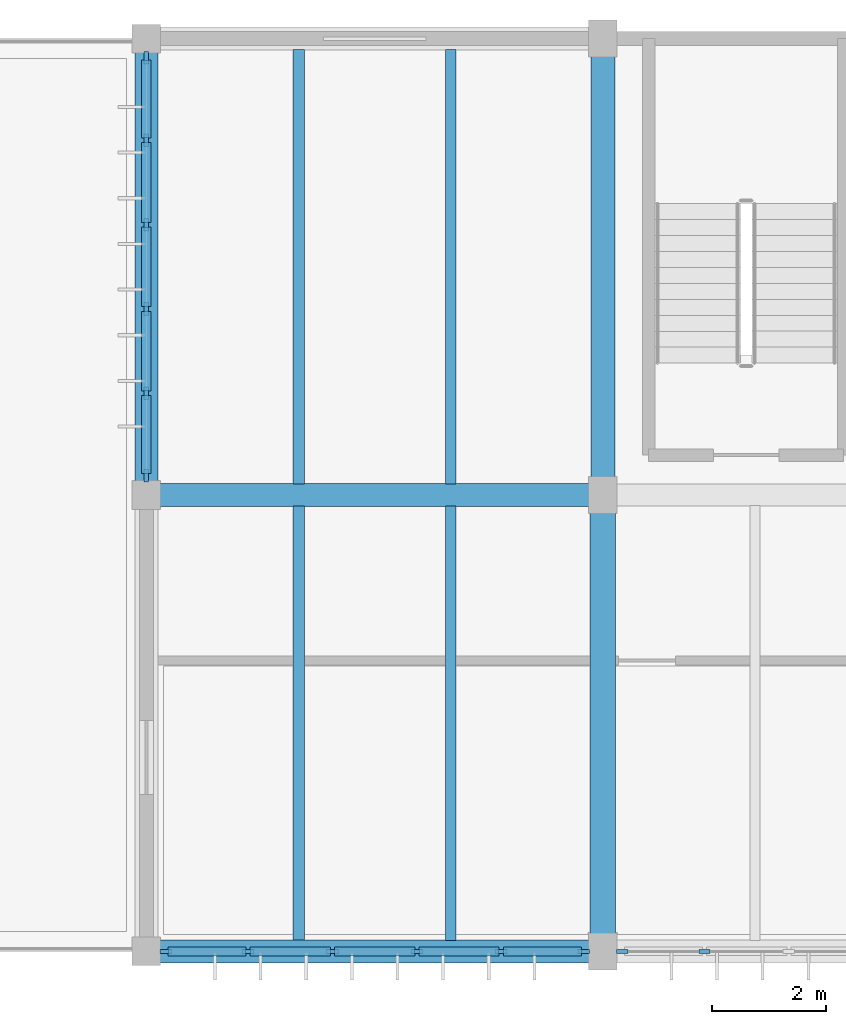
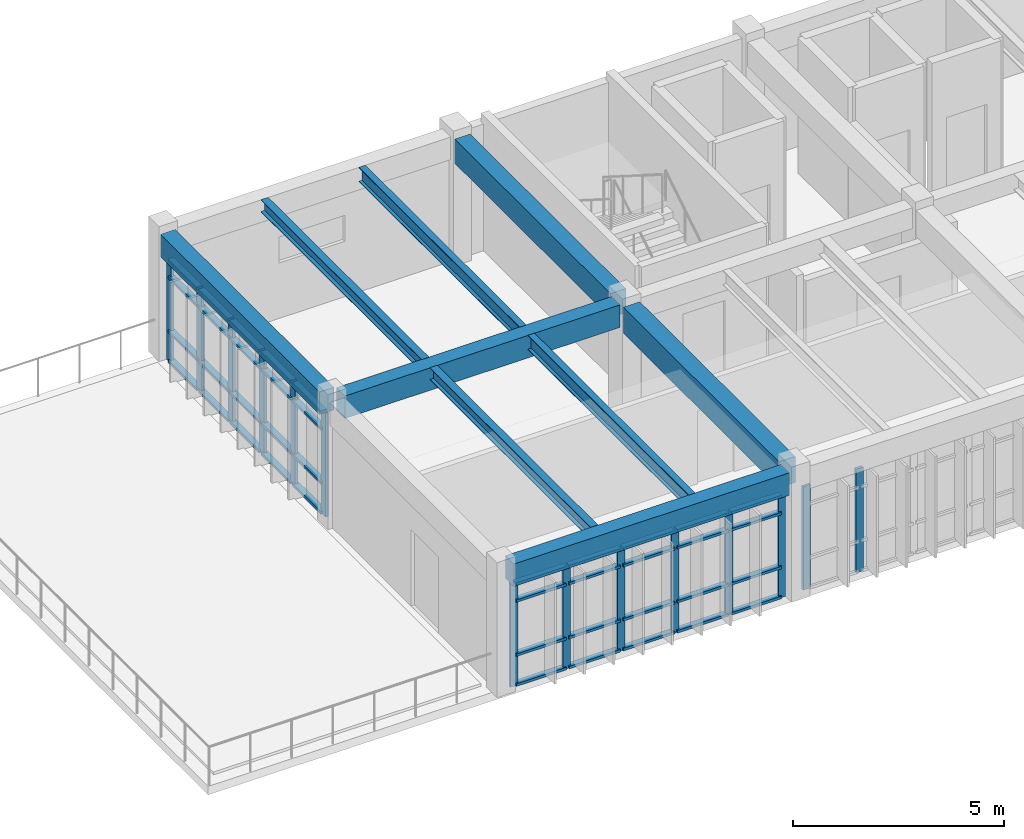
# One storey, part 2 of 15: 54 members, 9 beams, 3 elements without a shape of their own.
"""IFC4 building model written with IfcOpenShell, lengths in metres."""

from ifc_helpers import new_model, si_unit, direction, frame, origin, origin_2d, place, context, subcontext, project, spatial, rectangle, i_section, extrude, material, material_profile, profile_set, type_object, element, aggregate, save


model = new_model("IFC4")

# Units and contexts
model_context = context("Model", 3, precision=1e-05, world=origin(), true_north=direction((0.0, 1.0)))
body_context = subcontext(model_context, "Body", "Model", "MODEL_VIEW")
ifc_project = project(units=[si_unit("LENGTHUNIT", "METRE"), si_unit("AREAUNIT", "SQUARE_METRE"), si_unit("VOLUMEUNIT", "CUBIC_METRE"), si_unit("PLANEANGLEUNIT", "RADIAN"), si_unit("MASSUNIT", "GRAM", prefix="KILO")], contexts=[model_context])

# Site, building, storey
site_placement = place(None, origin())
site = spatial("IfcSite", under=ifc_project, at=site_placement, CompositionType="ELEMENT")
building_placement = place(site_placement, origin())
building = spatial("IfcBuilding", under=site, at=building_placement, Name="Tlaxcora Railside Police Headquarters", CompositionType="ELEMENT")
storey_placement = place(building_placement, frame((0.0, 0.0, 25.800048828125)))
storey = spatial("IfcBuildingStorey", under=building, at=storey_placement, Name="L06", CompositionType="ELEMENT", Elevation=25.800048828125)

# Curtain wall, members
ifc_material_1 = material(Name="Thermally broken low-E insulated glazing", Category="glass")
curtain_wall_type_1 = type_object("IfcCurtainWallType", Name="Unitised Curtain Wall Assembly CW-23", PredefinedType="NOTDEFINED", material=ifc_material_1)
curtain_wall_1_placement = place(storey_placement, origin())
curtain_wall_1 = element("IfcCurtainWall", 1, at=curtain_wall_1_placement, inside=storey, type_object=curtain_wall_type_1, Name="V5 L06 curtain wall 132", PredefinedType="NOTDEFINED")
ifc_material_2 = material(Name="Anodised aluminium framing", Category="aluminium")
ifc_material_profile_1 = material_profile(ifc_material_2, rectangle(XDim=0.080078125, YDim=0.219970703125, at=origin_2d()), Name="AL80X220")
ifc_profile_set_1 = profile_set([ifc_material_profile_1], Name="Anodised aluminium framing")
member_type_1 = type_object("IfcMemberType", Name="Curtain Wall Mullion CW-31", PredefinedType="MULLION", material=ifc_profile_set_1)
member_1_placement = place(storey_placement, frame((13.199951171875, 92.4599609375, 0.0), z_axis=(0.0, 0.0, 1.0), x_axis=(1.0, 0.0, 0.0)))
member_1 = element("IfcMember", 2, at=member_1_placement, type_object=member_type_1, Name="CW mullion 1", PredefinedType="MULLION", context=body_context, shape_type="SweptSolid", body=[
    extrude(rectangle(XDim=0.080078125, YDim=0.219970703125, at=origin_2d()), origin(), (0.0, 0.0, 1.0), 2.989990234375),
])
member_2_placement = place(storey_placement, frame((13.199951171875, 91.02001953125, 0.0), z_axis=(0.0, 0.0, 1.0), x_axis=(1.0, 0.0, 0.0)))
member_2 = element("IfcMember", 3, at=member_2_placement, type_object=member_type_1, Name="CW mullion 2", PredefinedType="MULLION", context=body_context, shape_type="SweptSolid", body=[
    extrude(rectangle(XDim=0.080078125, YDim=0.219970703125, at=origin_2d()), origin(), (0.0, 0.0, 1.0), 2.989990234375),
])
member_3_placement = place(storey_placement, frame((13.199951171875, 89.5400390625, 0.0), z_axis=(0.0, 0.0, 1.0), x_axis=(1.0, 0.0, 0.0)))
member_3 = element("IfcMember", 4, at=member_3_placement, type_object=member_type_1, Name="CW mullion 3", PredefinedType="MULLION", context=body_context, shape_type="SweptSolid", body=[
    extrude(rectangle(XDim=0.080078125, YDim=0.219970703125, at=origin_2d()), origin(), (0.0, 0.0, 1.0), 2.989990234375),
])
member_4_placement = place(storey_placement, frame((13.199951171875, 88.06005859375, 0.0), z_axis=(0.0, 0.0, 1.0), x_axis=(1.0, 0.0, 0.0)))
member_4 = element("IfcMember", 5, at=member_4_placement, type_object=member_type_1, Name="CW mullion 4", PredefinedType="MULLION", context=body_context, shape_type="SweptSolid", body=[
    extrude(rectangle(XDim=0.080078125, YDim=0.219970703125, at=origin_2d()), origin(), (0.0, 0.0, 1.0), 2.989990234375),
])
member_5_placement = place(storey_placement, frame((13.199951171875, 86.580078125, 0.0), z_axis=(0.0, 0.0, 1.0), x_axis=(1.0, 0.0, 0.0)))
member_5 = element("IfcMember", 6, at=member_5_placement, type_object=member_type_1, Name="CW mullion 5", PredefinedType="MULLION", context=body_context, shape_type="SweptSolid", body=[
    extrude(rectangle(XDim=0.080078125, YDim=0.219970703125, at=origin_2d()), origin(), (0.0, 0.0, 1.0), 2.989990234375),
])
member_6_placement = place(storey_placement, frame((13.199951171875, 85.139892578125, 0.0), z_axis=(0.0, 0.0, 1.0), x_axis=(1.0, 0.0, 0.0)))
member_6 = element("IfcMember", 7, at=member_6_placement, type_object=member_type_1, Name="CW mullion 6", PredefinedType="MULLION", context=body_context, shape_type="SweptSolid", body=[
    extrude(rectangle(XDim=0.080078125, YDim=0.219970703125, at=origin_2d()), origin(), (0.0, 0.0, 1.0), 2.989990234375),
])

curtain_wall_type_2 = type_object("IfcCurtainWallType", Name="Unitised Curtain Wall Assembly CW-38", PredefinedType="NOTDEFINED", material=ifc_material_1)
curtain_wall_2_placement = place(storey_placement, origin())
curtain_wall_2 = element("IfcCurtainWall", 8, at=curtain_wall_2_placement, inside=storey, type_object=curtain_wall_type_2, Name="V5 L06 curtain wall 121", PredefinedType="NOTDEFINED")
ifc_material_profile_2 = material_profile(ifc_material_2, rectangle(XDim=0.074951171875, YDim=0.205078125, at=origin_2d()), Name="AL75X205")
ifc_profile_set_2 = profile_set([ifc_material_profile_2], Name="Anodised aluminium framing")
member_type_2 = type_object("IfcMemberType", Name="Curtain Wall Mullion CW-32", PredefinedType="MULLION", material=ifc_profile_set_2)
member_7_placement = place(storey_placement, frame((13.53759765625, 76.800048828125, 0.0), z_axis=(0.0, 0.0, 1.0), x_axis=(0.0, 1.0, 0.0)))
member_7 = element("IfcMember", 9, at=member_7_placement, type_object=member_type_2, Name="CW mullion 1", PredefinedType="MULLION", context=body_context, shape_type="SweptSolid", body=[
    extrude(rectangle(XDim=0.074951171875, YDim=0.205078125, at=origin_2d()), origin(), (0.0, 0.0, 1.0), 2.989990234375),
])
member_8_placement = place(storey_placement, frame((14.97998046875, 76.800048828125, 0.0), z_axis=(0.0, 0.0, 1.0), x_axis=(0.0, 1.0, 0.0)))
member_8 = element("IfcMember", 10, at=member_8_placement, type_object=member_type_2, Name="CW mullion 2", PredefinedType="MULLION", context=body_context, shape_type="SweptSolid", body=[
    extrude(rectangle(XDim=0.074951171875, YDim=0.205078125, at=origin_2d()), origin(), (0.0, 0.0, 1.0), 2.989990234375),
])
member_9_placement = place(storey_placement, frame((16.4599609375, 76.800048828125, 0.0), z_axis=(0.0, 0.0, 1.0), x_axis=(0.0, 1.0, 0.0)))
member_9 = element("IfcMember", 11, at=member_9_placement, type_object=member_type_2, Name="CW mullion 3", PredefinedType="MULLION", context=body_context, shape_type="SweptSolid", body=[
    extrude(rectangle(XDim=0.074951171875, YDim=0.205078125, at=origin_2d()), origin(), (0.0, 0.0, 1.0), 2.989990234375),
])
member_10_placement = place(storey_placement, frame((17.93994140625, 76.800048828125, 0.0), z_axis=(0.0, 0.0, 1.0), x_axis=(0.0, 1.0, 0.0)))
member_10 = element("IfcMember", 12, at=member_10_placement, type_object=member_type_2, Name="CW mullion 4", PredefinedType="MULLION", context=body_context, shape_type="SweptSolid", body=[
    extrude(rectangle(XDim=0.074951171875, YDim=0.205078125, at=origin_2d()), origin(), (0.0, 0.0, 1.0), 2.989990234375),
])
member_11_placement = place(storey_placement, frame((19.419921875, 76.800048828125, 0.0), z_axis=(0.0, 0.0, 1.0), x_axis=(0.0, 1.0, 0.0)))
member_11 = element("IfcMember", 13, at=member_11_placement, type_object=member_type_2, Name="CW mullion 5", PredefinedType="MULLION", context=body_context, shape_type="SweptSolid", body=[
    extrude(rectangle(XDim=0.074951171875, YDim=0.205078125, at=origin_2d()), origin(), (0.0, 0.0, 1.0), 2.989990234375),
])
member_12_placement = place(storey_placement, frame((20.862548828125, 76.800048828125, 0.0), z_axis=(0.0, 0.0, 1.0), x_axis=(0.0, 1.0, 0.0)))
member_12 = element("IfcMember", 14, at=member_12_placement, type_object=member_type_2, Name="CW mullion 6", PredefinedType="MULLION", context=body_context, shape_type="SweptSolid", body=[
    extrude(rectangle(XDim=0.074951171875, YDim=0.205078125, at=origin_2d()), origin(), (0.0, 0.0, 1.0), 2.989990234375),
])

curtain_wall_type_3 = type_object("IfcCurtainWallType", Name="Unitised Curtain Wall Assembly CW-15", PredefinedType="NOTDEFINED", material=ifc_material_1)
curtain_wall_3_placement = place(storey_placement, origin())
curtain_wall_3 = element("IfcCurtainWall", 15, at=curtain_wall_3_placement, inside=storey, type_object=curtain_wall_type_3, Name="V5 L06 curtain wall 122", PredefinedType="NOTDEFINED")
ifc_material_profile_3 = material_profile(ifc_material_2, rectangle(XDim=0.074951171875, YDim=0.199951171875, at=origin_2d()), Name="AL75X200")
ifc_profile_set_3 = profile_set([ifc_material_profile_3], Name="Anodised aluminium framing")
member_type_3 = type_object("IfcMemberType", Name="Curtain Wall Mullion CW-58", PredefinedType="MULLION", material=ifc_profile_set_3)
member_13_placement = place(storey_placement, frame((21.53759765625, 76.800048828125, 0.0), z_axis=(0.0, 0.0, 1.0), x_axis=(0.0, 1.0, 0.0)))
member_13 = element("IfcMember", 16, at=member_13_placement, type_object=member_type_3, Name="CW mullion 1", PredefinedType="MULLION", context=body_context, shape_type="SweptSolid", body=[
    extrude(rectangle(XDim=0.074951171875, YDim=0.199951171875, at=origin_2d()), origin(), (0.0, 0.0, 1.0), 2.989990234375),
])
member_14_placement = place(storey_placement, frame((22.97998046875, 76.800048828125, 0.0), z_axis=(0.0, 0.0, 1.0), x_axis=(0.0, 1.0, 0.0)))
member_14 = element("IfcMember", 17, at=member_14_placement, type_object=member_type_3, Name="CW mullion 2", PredefinedType="MULLION", context=body_context, shape_type="SweptSolid", body=[
    extrude(rectangle(XDim=0.074951171875, YDim=0.199951171875, at=origin_2d()), origin(), (0.0, 0.0, 1.0), 2.989990234375),
])
aggregate(curtain_wall_3, [member_13, member_14])

# Member
ifc_material_profile_4 = material_profile(ifc_material_2, rectangle(XDim=0.155029296875, YDim=0.074951171875, at=origin_2d()), Name="AL75X155")
ifc_profile_set_4 = profile_set([ifc_material_profile_4], Name="Anodised aluminium framing")
member_type_4 = type_object("IfcMemberType", Name="Curtain Wall Transom CW-30", PredefinedType="USERDEFINED", material=ifc_profile_set_4)
member_15_placement = place(storey_placement, frame((13.574951171875, 76.800048828125, 0.037353515625), z_axis=(1.0, 0.0, 0.0), x_axis=(0.0, 1.0, 0.0)))
member_15 = element("IfcMember", 18, at=member_15_placement, type_object=member_type_4, Name="CW transom 1.1", ObjectType="TRANSOM", PredefinedType="USERDEFINED", context=body_context, shape_type="SweptSolid", body=[
    extrude(rectangle(XDim=0.155029296875, YDim=0.074951171875, at=origin_2d()), origin(), (0.0, 0.0, 1.0), 1.367431640625),
])

member_16_placement = place(storey_placement, frame((13.574951171875, 76.800048828125, 0.89990234375), z_axis=(1.0, 0.0, 0.0), x_axis=(0.0, 1.0, 0.0)))
member_16 = element("IfcMember", 19, at=member_16_placement, type_object=member_type_4, Name="CW transom 1.2", ObjectType="TRANSOM", PredefinedType="USERDEFINED", context=body_context, shape_type="SweptSolid", body=[
    extrude(rectangle(XDim=0.155029296875, YDim=0.074951171875, at=origin_2d()), origin(), (0.0, 0.0, 1.0), 1.367431640625),
])

member_17_placement = place(storey_placement, frame((13.574951171875, 76.800048828125, 2.4599609375), z_axis=(1.0, 0.0, 0.0), x_axis=(0.0, 1.0, 0.0)))
member_17 = element("IfcMember", 20, at=member_17_placement, type_object=member_type_4, Name="CW transom 1.3", ObjectType="TRANSOM", PredefinedType="USERDEFINED", context=body_context, shape_type="SweptSolid", body=[
    extrude(rectangle(XDim=0.155029296875, YDim=0.074951171875, at=origin_2d()), origin(), (0.0, 0.0, 1.0), 1.367431640625),
])

member_18_placement = place(storey_placement, frame((13.574951171875, 76.800048828125, 2.952392578125), z_axis=(1.0, 0.0, 0.0), x_axis=(0.0, 1.0, 0.0)))
member_18 = element("IfcMember", 21, at=member_18_placement, type_object=member_type_4, Name="CW transom 1.4", ObjectType="TRANSOM", PredefinedType="USERDEFINED", context=body_context, shape_type="SweptSolid", body=[
    extrude(rectangle(XDim=0.155029296875, YDim=0.074951171875, at=origin_2d()), origin(), (0.0, 0.0, 1.0), 1.367431640625),
])

member_19_placement = place(storey_placement, frame((15.017578125, 76.800048828125, 0.037353515625), z_axis=(1.0, 0.0, 0.0), x_axis=(0.0, 1.0, 0.0)))
member_19 = element("IfcMember", 22, at=member_19_placement, type_object=member_type_4, Name="CW transom 2.1", ObjectType="TRANSOM", PredefinedType="USERDEFINED", context=body_context, shape_type="SweptSolid", body=[
    extrude(rectangle(XDim=0.155029296875, YDim=0.074951171875, at=origin_2d()), origin(), (0.0, 0.0, 1.0), 1.405029296875),
])

member_20_placement = place(storey_placement, frame((15.017578125, 76.800048828125, 0.89990234375), z_axis=(1.0, 0.0, 0.0), x_axis=(0.0, 1.0, 0.0)))
member_20 = element("IfcMember", 23, at=member_20_placement, type_object=member_type_4, Name="CW transom 2.2", ObjectType="TRANSOM", PredefinedType="USERDEFINED", context=body_context, shape_type="SweptSolid", body=[
    extrude(rectangle(XDim=0.155029296875, YDim=0.074951171875, at=origin_2d()), origin(), (0.0, 0.0, 1.0), 1.405029296875),
])

member_21_placement = place(storey_placement, frame((15.017578125, 76.800048828125, 2.4599609375), z_axis=(1.0, 0.0, 0.0), x_axis=(0.0, 1.0, 0.0)))
member_21 = element("IfcMember", 24, at=member_21_placement, type_object=member_type_4, Name="CW transom 2.3", ObjectType="TRANSOM", PredefinedType="USERDEFINED", context=body_context, shape_type="SweptSolid", body=[
    extrude(rectangle(XDim=0.155029296875, YDim=0.074951171875, at=origin_2d()), origin(), (0.0, 0.0, 1.0), 1.405029296875),
])

member_22_placement = place(storey_placement, frame((15.017578125, 76.800048828125, 2.952392578125), z_axis=(1.0, 0.0, 0.0), x_axis=(0.0, 1.0, 0.0)))
member_22 = element("IfcMember", 25, at=member_22_placement, type_object=member_type_4, Name="CW transom 2.4", ObjectType="TRANSOM", PredefinedType="USERDEFINED", context=body_context, shape_type="SweptSolid", body=[
    extrude(rectangle(XDim=0.155029296875, YDim=0.074951171875, at=origin_2d()), origin(), (0.0, 0.0, 1.0), 1.405029296875),
])

member_23_placement = place(storey_placement, frame((16.49755859375, 76.800048828125, 0.037353515625), z_axis=(1.0, 0.0, 0.0), x_axis=(0.0, 1.0, 0.0)))
member_23 = element("IfcMember", 26, at=member_23_placement, type_object=member_type_4, Name="CW transom 3.1", ObjectType="TRANSOM", PredefinedType="USERDEFINED", context=body_context, shape_type="SweptSolid", body=[
    extrude(rectangle(XDim=0.155029296875, YDim=0.074951171875, at=origin_2d()), origin(), (0.0, 0.0, 1.0), 1.405029296875),
])

member_24_placement = place(storey_placement, frame((16.49755859375, 76.800048828125, 0.89990234375), z_axis=(1.0, 0.0, 0.0), x_axis=(0.0, 1.0, 0.0)))
member_24 = element("IfcMember", 27, at=member_24_placement, type_object=member_type_4, Name="CW transom 3.2", ObjectType="TRANSOM", PredefinedType="USERDEFINED", context=body_context, shape_type="SweptSolid", body=[
    extrude(rectangle(XDim=0.155029296875, YDim=0.074951171875, at=origin_2d()), origin(), (0.0, 0.0, 1.0), 1.405029296875),
])

member_25_placement = place(storey_placement, frame((16.49755859375, 76.800048828125, 2.4599609375), z_axis=(1.0, 0.0, 0.0), x_axis=(0.0, 1.0, 0.0)))
member_25 = element("IfcMember", 28, at=member_25_placement, type_object=member_type_4, Name="CW transom 3.3", ObjectType="TRANSOM", PredefinedType="USERDEFINED", context=body_context, shape_type="SweptSolid", body=[
    extrude(rectangle(XDim=0.155029296875, YDim=0.074951171875, at=origin_2d()), origin(), (0.0, 0.0, 1.0), 1.405029296875),
])

member_26_placement = place(storey_placement, frame((16.49755859375, 76.800048828125, 2.952392578125), z_axis=(1.0, 0.0, 0.0), x_axis=(0.0, 1.0, 0.0)))
member_26 = element("IfcMember", 29, at=member_26_placement, type_object=member_type_4, Name="CW transom 3.4", ObjectType="TRANSOM", PredefinedType="USERDEFINED", context=body_context, shape_type="SweptSolid", body=[
    extrude(rectangle(XDim=0.155029296875, YDim=0.074951171875, at=origin_2d()), origin(), (0.0, 0.0, 1.0), 1.405029296875),
])

member_27_placement = place(storey_placement, frame((17.9775390625, 76.800048828125, 0.037353515625), z_axis=(1.0, 0.0, 0.0), x_axis=(0.0, 1.0, 0.0)))
member_27 = element("IfcMember", 30, at=member_27_placement, type_object=member_type_4, Name="CW transom 4.1", ObjectType="TRANSOM", PredefinedType="USERDEFINED", context=body_context, shape_type="SweptSolid", body=[
    extrude(rectangle(XDim=0.155029296875, YDim=0.074951171875, at=origin_2d()), origin(), (0.0, 0.0, 1.0), 1.405029296875),
])

member_28_placement = place(storey_placement, frame((17.9775390625, 76.800048828125, 0.89990234375), z_axis=(1.0, 0.0, 0.0), x_axis=(0.0, 1.0, 0.0)))
member_28 = element("IfcMember", 31, at=member_28_placement, type_object=member_type_4, Name="CW transom 4.2", ObjectType="TRANSOM", PredefinedType="USERDEFINED", context=body_context, shape_type="SweptSolid", body=[
    extrude(rectangle(XDim=0.155029296875, YDim=0.074951171875, at=origin_2d()), origin(), (0.0, 0.0, 1.0), 1.405029296875),
])

member_29_placement = place(storey_placement, frame((17.9775390625, 76.800048828125, 2.4599609375), z_axis=(1.0, 0.0, 0.0), x_axis=(0.0, 1.0, 0.0)))
member_29 = element("IfcMember", 32, at=member_29_placement, type_object=member_type_4, Name="CW transom 4.3", ObjectType="TRANSOM", PredefinedType="USERDEFINED", context=body_context, shape_type="SweptSolid", body=[
    extrude(rectangle(XDim=0.155029296875, YDim=0.074951171875, at=origin_2d()), origin(), (0.0, 0.0, 1.0), 1.405029296875),
])

member_30_placement = place(storey_placement, frame((17.9775390625, 76.800048828125, 2.952392578125), z_axis=(1.0, 0.0, 0.0), x_axis=(0.0, 1.0, 0.0)))
member_30 = element("IfcMember", 33, at=member_30_placement, type_object=member_type_4, Name="CW transom 4.4", ObjectType="TRANSOM", PredefinedType="USERDEFINED", context=body_context, shape_type="SweptSolid", body=[
    extrude(rectangle(XDim=0.155029296875, YDim=0.074951171875, at=origin_2d()), origin(), (0.0, 0.0, 1.0), 1.405029296875),
])

member_31_placement = place(storey_placement, frame((19.45751953125, 76.800048828125, 0.037353515625), z_axis=(1.0, 0.0, 0.0), x_axis=(0.0, 1.0, 0.0)))
member_31 = element("IfcMember", 34, at=member_31_placement, type_object=member_type_4, Name="CW transom 5.1", ObjectType="TRANSOM", PredefinedType="USERDEFINED", context=body_context, shape_type="SweptSolid", body=[
    extrude(rectangle(XDim=0.155029296875, YDim=0.074951171875, at=origin_2d()), origin(), (0.0, 0.0, 1.0), 1.367431640625),
])

member_32_placement = place(storey_placement, frame((19.45751953125, 76.800048828125, 0.89990234375), z_axis=(1.0, 0.0, 0.0), x_axis=(0.0, 1.0, 0.0)))
member_32 = element("IfcMember", 35, at=member_32_placement, type_object=member_type_4, Name="CW transom 5.2", ObjectType="TRANSOM", PredefinedType="USERDEFINED", context=body_context, shape_type="SweptSolid", body=[
    extrude(rectangle(XDim=0.155029296875, YDim=0.074951171875, at=origin_2d()), origin(), (0.0, 0.0, 1.0), 1.367431640625),
])

member_33_placement = place(storey_placement, frame((19.45751953125, 76.800048828125, 2.4599609375), z_axis=(1.0, 0.0, 0.0), x_axis=(0.0, 1.0, 0.0)))
member_33 = element("IfcMember", 36, at=member_33_placement, type_object=member_type_4, Name="CW transom 5.3", ObjectType="TRANSOM", PredefinedType="USERDEFINED", context=body_context, shape_type="SweptSolid", body=[
    extrude(rectangle(XDim=0.155029296875, YDim=0.074951171875, at=origin_2d()), origin(), (0.0, 0.0, 1.0), 1.367431640625),
])

member_34_placement = place(storey_placement, frame((19.45751953125, 76.800048828125, 2.952392578125), z_axis=(1.0, 0.0, 0.0), x_axis=(0.0, 1.0, 0.0)))
member_34 = element("IfcMember", 37, at=member_34_placement, type_object=member_type_4, Name="CW transom 5.4", ObjectType="TRANSOM", PredefinedType="USERDEFINED", context=body_context, shape_type="SweptSolid", body=[
    extrude(rectangle(XDim=0.155029296875, YDim=0.074951171875, at=origin_2d()), origin(), (0.0, 0.0, 1.0), 1.367431640625),
])

aggregate(curtain_wall_2, [member_7, member_8, member_9, member_10, member_11, member_12, member_15, member_16, member_17, member_18, member_19, member_20, member_21, member_22, member_23, member_24, member_25, member_26, member_27, member_28, member_29, member_30, member_31, member_32, member_33, member_34])

ifc_material_profile_5 = material_profile(ifc_material_2, rectangle(XDim=0.1650390625, YDim=0.080078125, at=origin_2d()), Name="AL80X165")
ifc_profile_set_5 = profile_set([ifc_material_profile_5], Name="Anodised aluminium framing")
member_type_5 = type_object("IfcMemberType", Name="Curtain Wall Transom CW-62", PredefinedType="USERDEFINED", material=ifc_profile_set_5)
member_35_placement = place(storey_placement, frame((13.199951171875, 92.419921875, 0.0400390625), z_axis=(0.0, -1.0, 0.0), x_axis=(1.0, 0.0, 0.0)))
member_35 = element("IfcMember", 38, at=member_35_placement, type_object=member_type_5, Name="CW transom 1.1", ObjectType="TRANSOM", PredefinedType="USERDEFINED", context=body_context, shape_type="SweptSolid", body=[
    extrude(rectangle(XDim=0.1650390625, YDim=0.080078125, at=origin_2d()), origin(), (0.0, 0.0, 1.0), 1.35986328125),
])

member_36_placement = place(storey_placement, frame((13.199951171875, 92.419921875, 0.89990234375), z_axis=(0.0, -1.0, 0.0), x_axis=(1.0, 0.0, 0.0)))
member_36 = element("IfcMember", 39, at=member_36_placement, type_object=member_type_5, Name="CW transom 1.2", ObjectType="TRANSOM", PredefinedType="USERDEFINED", context=body_context, shape_type="SweptSolid", body=[
    extrude(rectangle(XDim=0.1650390625, YDim=0.080078125, at=origin_2d()), origin(), (0.0, 0.0, 1.0), 1.35986328125),
])

member_37_placement = place(storey_placement, frame((13.199951171875, 92.419921875, 2.4599609375), z_axis=(0.0, -1.0, 0.0), x_axis=(1.0, 0.0, 0.0)))
member_37 = element("IfcMember", 40, at=member_37_placement, type_object=member_type_5, Name="CW transom 1.3", ObjectType="TRANSOM", PredefinedType="USERDEFINED", context=body_context, shape_type="SweptSolid", body=[
    extrude(rectangle(XDim=0.1650390625, YDim=0.080078125, at=origin_2d()), origin(), (0.0, 0.0, 1.0), 1.35986328125),
])

member_38_placement = place(storey_placement, frame((13.199951171875, 92.419921875, 2.949951171875), z_axis=(0.0, -1.0, 0.0), x_axis=(1.0, 0.0, 0.0)))
member_38 = element("IfcMember", 41, at=member_38_placement, type_object=member_type_5, Name="CW transom 1.4", ObjectType="TRANSOM", PredefinedType="USERDEFINED", context=body_context, shape_type="SweptSolid", body=[
    extrude(rectangle(XDim=0.1650390625, YDim=0.080078125, at=origin_2d()), origin(), (0.0, 0.0, 1.0), 1.35986328125),
])

member_39_placement = place(storey_placement, frame((13.199951171875, 90.97998046875, 0.0400390625), z_axis=(0.0, -1.0, 0.0), x_axis=(1.0, 0.0, 0.0)))
member_39 = element("IfcMember", 42, at=member_39_placement, type_object=member_type_5, Name="CW transom 2.1", ObjectType="TRANSOM", PredefinedType="USERDEFINED", context=body_context, shape_type="SweptSolid", body=[
    extrude(rectangle(XDim=0.1650390625, YDim=0.080078125, at=origin_2d()), origin(), (0.0, 0.0, 1.0), 1.39990234375),
])

member_40_placement = place(storey_placement, frame((13.199951171875, 90.97998046875, 0.89990234375), z_axis=(0.0, -1.0, 0.0), x_axis=(1.0, 0.0, 0.0)))
member_40 = element("IfcMember", 43, at=member_40_placement, type_object=member_type_5, Name="CW transom 2.2", ObjectType="TRANSOM", PredefinedType="USERDEFINED", context=body_context, shape_type="SweptSolid", body=[
    extrude(rectangle(XDim=0.1650390625, YDim=0.080078125, at=origin_2d()), origin(), (0.0, 0.0, 1.0), 1.39990234375),
])

member_41_placement = place(storey_placement, frame((13.199951171875, 90.97998046875, 2.4599609375), z_axis=(0.0, -1.0, 0.0), x_axis=(1.0, 0.0, 0.0)))
member_41 = element("IfcMember", 44, at=member_41_placement, type_object=member_type_5, Name="CW transom 2.3", ObjectType="TRANSOM", PredefinedType="USERDEFINED", context=body_context, shape_type="SweptSolid", body=[
    extrude(rectangle(XDim=0.1650390625, YDim=0.080078125, at=origin_2d()), origin(), (0.0, 0.0, 1.0), 1.39990234375),
])

member_42_placement = place(storey_placement, frame((13.199951171875, 90.97998046875, 2.949951171875), z_axis=(0.0, -1.0, 0.0), x_axis=(1.0, 0.0, 0.0)))
member_42 = element("IfcMember", 45, at=member_42_placement, type_object=member_type_5, Name="CW transom 2.4", ObjectType="TRANSOM", PredefinedType="USERDEFINED", context=body_context, shape_type="SweptSolid", body=[
    extrude(rectangle(XDim=0.1650390625, YDim=0.080078125, at=origin_2d()), origin(), (0.0, 0.0, 1.0), 1.39990234375),
])

member_43_placement = place(storey_placement, frame((13.199951171875, 89.5, 0.0400390625), z_axis=(0.0, -1.0, 0.0), x_axis=(1.0, 0.0, 0.0)))
member_43 = element("IfcMember", 46, at=member_43_placement, type_object=member_type_5, Name="CW transom 3.1", ObjectType="TRANSOM", PredefinedType="USERDEFINED", context=body_context, shape_type="SweptSolid", body=[
    extrude(rectangle(XDim=0.1650390625, YDim=0.080078125, at=origin_2d()), origin(), (0.0, 0.0, 1.0), 1.39990234375),
])

member_44_placement = place(storey_placement, frame((13.199951171875, 89.5, 0.89990234375), z_axis=(0.0, -1.0, 0.0), x_axis=(1.0, 0.0, 0.0)))
member_44 = element("IfcMember", 47, at=member_44_placement, type_object=member_type_5, Name="CW transom 3.2", ObjectType="TRANSOM", PredefinedType="USERDEFINED", context=body_context, shape_type="SweptSolid", body=[
    extrude(rectangle(XDim=0.1650390625, YDim=0.080078125, at=origin_2d()), origin(), (0.0, 0.0, 1.0), 1.39990234375),
])

member_45_placement = place(storey_placement, frame((13.199951171875, 89.5, 2.4599609375), z_axis=(0.0, -1.0, 0.0), x_axis=(1.0, 0.0, 0.0)))
member_45 = element("IfcMember", 48, at=member_45_placement, type_object=member_type_5, Name="CW transom 3.3", ObjectType="TRANSOM", PredefinedType="USERDEFINED", context=body_context, shape_type="SweptSolid", body=[
    extrude(rectangle(XDim=0.1650390625, YDim=0.080078125, at=origin_2d()), origin(), (0.0, 0.0, 1.0), 1.39990234375),
])

member_46_placement = place(storey_placement, frame((13.199951171875, 89.5, 2.949951171875), z_axis=(0.0, -1.0, 0.0), x_axis=(1.0, 0.0, 0.0)))
member_46 = element("IfcMember", 49, at=member_46_placement, type_object=member_type_5, Name="CW transom 3.4", ObjectType="TRANSOM", PredefinedType="USERDEFINED", context=body_context, shape_type="SweptSolid", body=[
    extrude(rectangle(XDim=0.1650390625, YDim=0.080078125, at=origin_2d()), origin(), (0.0, 0.0, 1.0), 1.39990234375),
])

member_47_placement = place(storey_placement, frame((13.199951171875, 88.02001953125, 0.0400390625), z_axis=(0.0, -1.0, 0.0), x_axis=(1.0, 0.0, 0.0)))
member_47 = element("IfcMember", 50, at=member_47_placement, type_object=member_type_5, Name="CW transom 4.1", ObjectType="TRANSOM", PredefinedType="USERDEFINED", context=body_context, shape_type="SweptSolid", body=[
    extrude(rectangle(XDim=0.1650390625, YDim=0.080078125, at=origin_2d()), origin(), (0.0, 0.0, 1.0), 1.39990234375),
])

member_48_placement = place(storey_placement, frame((13.199951171875, 88.02001953125, 0.89990234375), z_axis=(0.0, -1.0, 0.0), x_axis=(1.0, 0.0, 0.0)))
member_48 = element("IfcMember", 51, at=member_48_placement, type_object=member_type_5, Name="CW transom 4.2", ObjectType="TRANSOM", PredefinedType="USERDEFINED", context=body_context, shape_type="SweptSolid", body=[
    extrude(rectangle(XDim=0.1650390625, YDim=0.080078125, at=origin_2d()), origin(), (0.0, 0.0, 1.0), 1.39990234375),
])

member_49_placement = place(storey_placement, frame((13.199951171875, 88.02001953125, 2.4599609375), z_axis=(0.0, -1.0, 0.0), x_axis=(1.0, 0.0, 0.0)))
member_49 = element("IfcMember", 52, at=member_49_placement, type_object=member_type_5, Name="CW transom 4.3", ObjectType="TRANSOM", PredefinedType="USERDEFINED", context=body_context, shape_type="SweptSolid", body=[
    extrude(rectangle(XDim=0.1650390625, YDim=0.080078125, at=origin_2d()), origin(), (0.0, 0.0, 1.0), 1.39990234375),
])

member_50_placement = place(storey_placement, frame((13.199951171875, 88.02001953125, 2.949951171875), z_axis=(0.0, -1.0, 0.0), x_axis=(1.0, 0.0, 0.0)))
member_50 = element("IfcMember", 53, at=member_50_placement, type_object=member_type_5, Name="CW transom 4.4", ObjectType="TRANSOM", PredefinedType="USERDEFINED", context=body_context, shape_type="SweptSolid", body=[
    extrude(rectangle(XDim=0.1650390625, YDim=0.080078125, at=origin_2d()), origin(), (0.0, 0.0, 1.0), 1.39990234375),
])

member_51_placement = place(storey_placement, frame((13.199951171875, 86.5400390625, 0.0400390625), z_axis=(0.0, -1.0, 0.0), x_axis=(1.0, 0.0, 0.0)))
member_51 = element("IfcMember", 54, at=member_51_placement, type_object=member_type_5, Name="CW transom 5.1", ObjectType="TRANSOM", PredefinedType="USERDEFINED", context=body_context, shape_type="SweptSolid", body=[
    extrude(rectangle(XDim=0.1650390625, YDim=0.080078125, at=origin_2d()), origin(), (0.0, 0.0, 1.0), 1.360107421875),
])

member_52_placement = place(storey_placement, frame((13.199951171875, 86.5400390625, 0.89990234375), z_axis=(0.0, -1.0, 0.0), x_axis=(1.0, 0.0, 0.0)))
member_52 = element("IfcMember", 55, at=member_52_placement, type_object=member_type_5, Name="CW transom 5.2", ObjectType="TRANSOM", PredefinedType="USERDEFINED", context=body_context, shape_type="SweptSolid", body=[
    extrude(rectangle(XDim=0.1650390625, YDim=0.080078125, at=origin_2d()), origin(), (0.0, 0.0, 1.0), 1.360107421875),
])

member_53_placement = place(storey_placement, frame((13.199951171875, 86.5400390625, 2.4599609375), z_axis=(0.0, -1.0, 0.0), x_axis=(1.0, 0.0, 0.0)))
member_53 = element("IfcMember", 56, at=member_53_placement, type_object=member_type_5, Name="CW transom 5.3", ObjectType="TRANSOM", PredefinedType="USERDEFINED", context=body_context, shape_type="SweptSolid", body=[
    extrude(rectangle(XDim=0.1650390625, YDim=0.080078125, at=origin_2d()), origin(), (0.0, 0.0, 1.0), 1.360107421875),
])

member_54_placement = place(storey_placement, frame((13.199951171875, 86.5400390625, 2.949951171875), z_axis=(0.0, -1.0, 0.0), x_axis=(1.0, 0.0, 0.0)))
member_54 = element("IfcMember", 57, at=member_54_placement, type_object=member_type_5, Name="CW transom 5.4", ObjectType="TRANSOM", PredefinedType="USERDEFINED", context=body_context, shape_type="SweptSolid", body=[
    extrude(rectangle(XDim=0.1650390625, YDim=0.080078125, at=origin_2d()), origin(), (0.0, 0.0, 1.0), 1.360107421875),
])

aggregate(curtain_wall_1, [member_1, member_2, member_3, member_4, member_5, member_6, member_35, member_36, member_37, member_38, member_39, member_40, member_41, member_42, member_43, member_44, member_45, member_46, member_47, member_48, member_49, member_50, member_51, member_52, member_53, member_54])

# Beams
ifc_material_3 = material(Name="Concrete C40/50", Category="concrete")
ifc_material_profile_6 = material_profile(ifc_material_3, rectangle(XDim=0.39990234375, YDim=0.64990234375, at=origin_2d()), Name="RC400X650")
ifc_profile_set_6 = profile_set([ifc_material_profile_6], Name="Concrete C40/50")
beam_type_1 = type_object("IfcBeamType", Name="Perimeter Spandrel Beam BM-46", PredefinedType="SPANDREL", material=ifc_profile_set_6)
for number, where, z_axis, x_axis, name in (
    (58, (13.43994140625, 76.800048828125, 3.3349609375), (1.0, 0.0, 0.0), (0.0, 1.0, 0.0), "V5 L06 X-girder Y=76.8"),
    (59, (13.199951171875, 85.0400390625, 3.3349609375), (0.0, 1.0, 0.0), (-1.0, 0.0, 0.0), "V5 L06 Y-girder X=13.2"),
):
    element("IfcBeam", number, at=place(storey_placement, frame(where, z_axis=z_axis, x_axis=x_axis)), inside=storey, type_object=beam_type_1, Name=name, PredefinedType="SPANDREL", context=body_context, shape_type="SweptSolid", body=[
        extrude(rectangle(XDim=0.39990234375, YDim=0.64990234375, at=origin_2d()), origin(), (0.0, 0.0, 1.0), 7.52001953125),
    ])
ifc_material_profile_7 = material_profile(ifc_material_3, rectangle(XDim=0.419921875, YDim=0.699951171875, at=origin_2d()), Name="RC420X700")
ifc_profile_set_7 = profile_set([ifc_material_profile_7], Name="Concrete C40/50")
beam_type_2 = type_object("IfcBeamType", Name="Primary Frame Girder BM-35", PredefinedType="BEAM", material=ifc_profile_set_7)
beam_1_placement = place(storey_placement, frame((21.199951171875, 85.114990234375, 3.31005859375), z_axis=(0.0, 1.0, 0.0), x_axis=(-1.0, 0.0, 0.0)))
element("IfcBeam", 60, at=beam_1_placement, inside=storey, type_object=beam_type_2, Name="V5 L06 Y-girder X=21.2", PredefinedType="BEAM", context=body_context, shape_type="SweptSolid", body=[
    extrude(rectangle(XDim=0.419921875, YDim=0.699951171875, at=origin_2d()), origin(), (0.0, 0.0, 1.0), 7.3701171875),
])
ifc_material_profile_8 = material_profile(ifc_material_3, rectangle(XDim=0.39990234375, YDim=0.64990234375, at=origin_2d()), Name="RC400X650")
ifc_profile_set_8 = profile_set([ifc_material_profile_8], Name="Concrete C40/50")
beam_type_3 = type_object("IfcBeamType", Name="Primary Frame Girder BM-41", PredefinedType="BEAM", material=ifc_profile_set_8)
beam_2_placement = place(storey_placement, frame((13.43994140625, 84.800048828125, 3.3349609375), z_axis=(1.0, 0.0, 0.0), x_axis=(0.0, 1.0, 0.0)))
element("IfcBeam", 61, at=beam_2_placement, inside=storey, type_object=beam_type_3, Name="V5 L06 X-girder Y=84.8", PredefinedType="BEAM", context=body_context, shape_type="SweptSolid", body=[
    extrude(rectangle(XDim=0.39990234375, YDim=0.64990234375, at=origin_2d()), origin(), (0.0, 0.0, 1.0), 7.52001953125),
])
ifc_material_profile_9 = material_profile(ifc_material_3, rectangle(XDim=0.449951171875, YDim=0.75, at=origin_2d()), Name="RC450X750")
ifc_profile_set_9 = profile_set([ifc_material_profile_9], Name="Concrete C40/50")
beam_type_4 = type_object("IfcBeamType", Name="Primary Frame Girder BM-73", PredefinedType="BEAM", material=ifc_profile_set_9)
beam_3_placement = place(storey_placement, frame((21.199951171875, 77.114990234375, 3.284912109375), z_axis=(0.0, 1.0, 0.0), x_axis=(-1.0, 0.0, 0.0)))
element("IfcBeam", 62, at=beam_3_placement, inside=storey, type_object=beam_type_4, Name="V5 L06 Y-girder X=21.2", PredefinedType="BEAM", context=body_context, shape_type="SweptSolid", body=[
    extrude(rectangle(XDim=0.449951171875, YDim=0.75, at=origin_2d()), origin(), (0.0, 0.0, 1.0), 7.3701171875),
])
ifc_material_4 = material(Name="Steel ASTM A992 Grade 50", Category="steel")
ifc_material_profile_10 = material_profile(ifc_material_4, i_section(OverallWidth=0.2041015625, OverallDepth=0.35009765625, WebThickness=0.008544921875, FlangeThickness=0.01513671875, at=origin_2d()), Name="W14X48")
ifc_profile_set_10 = profile_set([ifc_material_profile_10], Name="Steel ASTM A992 Grade 50")
beam_type_5 = type_object("IfcBeamType", Name="Secondary Floor Joist BM-65", PredefinedType="JOIST", material=ifc_profile_set_10)
for number, where, z_axis, x_axis, name in (
    (63, (15.86669921875, 76.991943359375, 3.48486328125), (0.0, 1.0, 0.0), (-1.0, 0.0, 0.0), "V5 L06 floor joist X=15.87"),
    (64, (15.86669921875, 84.991943359375, 3.48486328125), (0.0, 1.0, 0.0), (-1.0, 0.0, 0.0), "V5 L06 floor joist X=15.87"),
):
    element("IfcBeam", number, at=place(storey_placement, frame(where, z_axis=z_axis, x_axis=x_axis)), inside=storey, type_object=beam_type_5, Name=name, PredefinedType="JOIST", context=body_context, shape_type="SweptSolid", body=[
        extrude(i_section(OverallWidth=0.2041015625, OverallDepth=0.35009765625, WebThickness=0.008544921875, FlangeThickness=0.01513671875, at=origin_2d()), origin(), (0.0, 0.0, 1.0), 7.615966796875),
    ])
ifc_material_profile_11 = material_profile(ifc_material_4, i_section(OverallWidth=0.180908203125, OverallDepth=0.4169921875, WebThickness=0.010009765625, FlangeThickness=0.018310546875, at=origin_2d()), Name="W16X57")
ifc_profile_set_11 = profile_set([ifc_material_profile_11], Name="Steel ASTM A992 Grade 50")
beam_type_6 = type_object("IfcBeamType", Name="Secondary Floor Joist BM-84", PredefinedType="JOIST", material=ifc_profile_set_11)
for number, where, z_axis, x_axis, name in (
    (65, (18.533203125, 76.991943359375, 3.451416015625), (0.0, 1.0, 0.0), (-1.0, 0.0, 0.0), "V5 L06 floor joist X=18.53"),
    (66, (18.533203125, 84.991943359375, 3.451416015625), (0.0, 1.0, 0.0), (-1.0, 0.0, 0.0), "V5 L06 floor joist X=18.53"),
):
    element("IfcBeam", number, at=place(storey_placement, frame(where, z_axis=z_axis, x_axis=x_axis)), inside=storey, type_object=beam_type_6, Name=name, PredefinedType="JOIST", context=body_context, shape_type="SweptSolid", body=[
        extrude(i_section(OverallWidth=0.180908203125, OverallDepth=0.4169921875, WebThickness=0.010009765625, FlangeThickness=0.018310546875, at=origin_2d()), origin(), (0.0, 0.0, 1.0), 7.615966796875),
    ])

save(model, "model.ifc")
